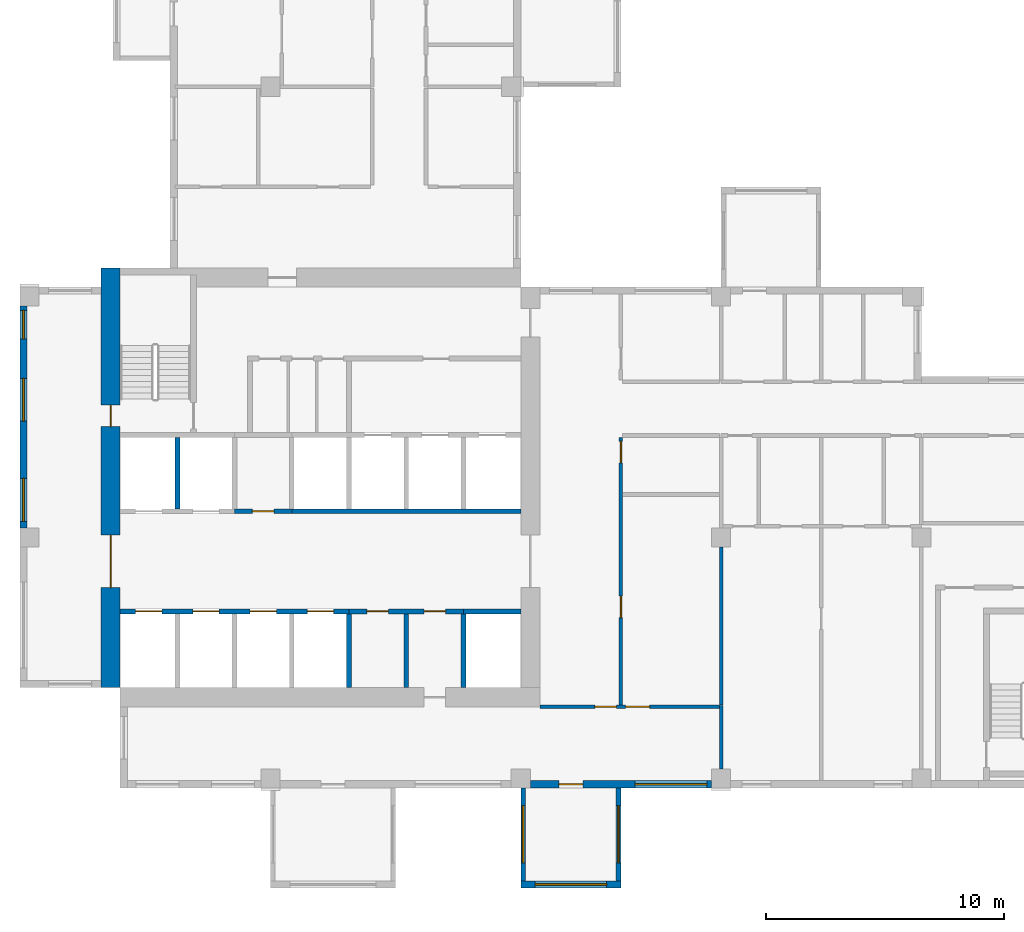
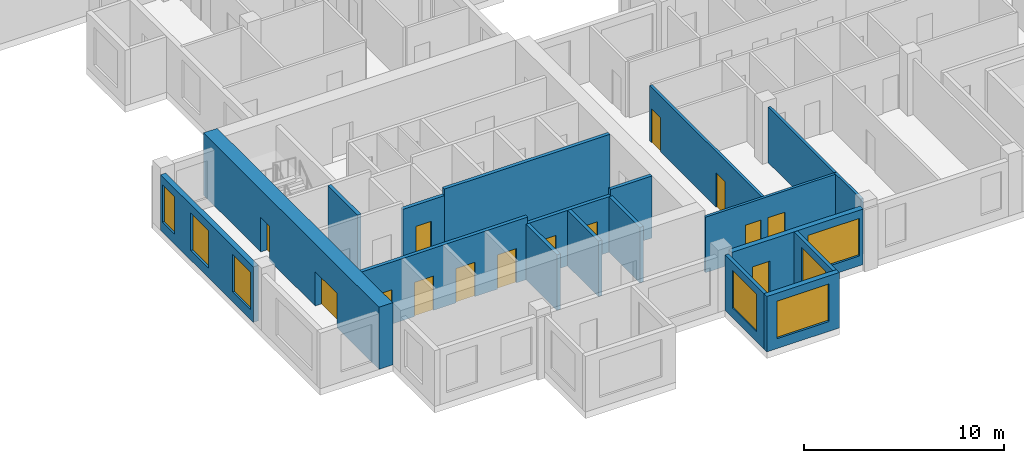
# One storey, part 2 of 12: 19 walls, 14 doors, 7 windows, 21 openings.
"""IFC4 building model written with IfcOpenShell, lengths in metres."""

from ifc_helpers import new_model, si_unit, direction, frame, frame_2d, origin, place, context, subcontext, project, spatial, rectangle, extrude, source, transform, mapped, material, layer, layer_set, type_object, element, fill, save


model = new_model("IFC4")

# Units and contexts
model_context = context("Model", 3, precision=1e-05, world=origin(), true_north=direction((0.0, 1.0)))
body_context = subcontext(model_context, "Body", "Model", "MODEL_VIEW")
ifc_project = project(units=[si_unit("LENGTHUNIT", "METRE"), si_unit("AREAUNIT", "SQUARE_METRE"), si_unit("VOLUMEUNIT", "CUBIC_METRE"), si_unit("PLANEANGLEUNIT", "RADIAN"), si_unit("MASSUNIT", "GRAM", prefix="KILO")], contexts=[model_context])

# Site, building, storey
site_placement = place(None, origin())
site = spatial("IfcSite", under=ifc_project, at=site_placement, CompositionType="ELEMENT")
building_placement = place(site_placement, origin())
building = spatial("IfcBuilding", under=site, at=building_placement, Name="Aurelian Terraces", CompositionType="ELEMENT")
storey_placement = place(building_placement, frame((0.0, 0.0, 242.4)))
storey = spatial("IfcBuildingStorey", under=building, at=storey_placement, Name="L55", CompositionType="ELEMENT", Elevation=242.4)

# Wall, openings, doors
ifc_material_1 = material(Name="Concrete fc' 70 MPa", Category="concrete")
ifc_layer_1 = layer(ifc_material_1, 0.8)
ifc_layer_set_1 = layer_set([ifc_layer_1], Name="CORE WALL 800 FC70")
wall_type_1 = type_object("IfcWallType", Name="CORE WALL 800 FC70", PredefinedType="SHEAR", material=ifc_layer_set_1)
shared_shape_1 = source(origin(), body_context, "Body", "SweptSolid", [
    extrude(rectangle(XDim=17.6, YDim=0.8, at=frame_2d((8.8, 0.0))), origin(), (0.0, 0.0, 1.0), 3.8),
])
wall_1_placement = place(storey_placement, frame((3.8, 4.2, 0.0), z_axis=(0.0, 0.0, 1.0), x_axis=(0.0, 1.0, 0.0)))
wall_1 = element("IfcWall", 1, at=wall_1_placement, inside=storey, type_object=wall_type_1, Name="Core wall W L55", PredefinedType="SHEAR", context=body_context, shape_type="MappedRepresentation", body=[
    mapped(shared_shape_1, transform((0.0, 0.0, 0.0), scale=1.0)),
])
shared_shape_2 = source(origin(), body_context, "Body", "SweptSolid", [
    extrude(rectangle(XDim=2.2, YDim=2.1, at=frame_2d((1.1, 1.05))), frame((0.0, 0.41, 0.0), z_axis=(0.0, -1.0, 0.0), x_axis=(1.0, 0.0, 0.0)), (0.0, 0.0, 1.0), 0.82),
])
opening_1_placement = place(wall_1_placement, frame((4.2, 0.0, 0.0)))
opening_1 = element("IfcOpeningElement", 2, at=opening_1_placement, cuts=wall_1, Name="Opening 65824", PredefinedType="OPENING", context=body_context, shape_type="MappedRepresentation", body=[
    mapped(shared_shape_2, transform((0.0, 0.0, 0.0), scale=1.0)),
])
shared_shape_3 = source(origin(), body_context, "Body", "SweptSolid", [
    extrude(rectangle(XDim=0.9, YDim=2.1, at=frame_2d((0.45, 1.05))), frame((0.0, 0.41, 0.0), z_axis=(0.0, -1.0, 0.0), x_axis=(1.0, 0.0, 0.0)), (0.0, 0.0, 1.0), 0.82),
])
opening_2_placement = place(wall_1_placement, frame((10.95, 0.0, 0.0)))
opening_2 = element("IfcOpeningElement", 3, at=opening_2_placement, cuts=wall_1, Name="Opening 65828", PredefinedType="OPENING", context=body_context, shape_type="MappedRepresentation", body=[
    mapped(shared_shape_3, transform((0.0, 0.0, 0.0), scale=1.0)),
])
ifc_material_2 = material(Name="Steel door leaf", Category="steel")
door_type_1 = type_object("IfcDoorType", Name="Core service door 900x2100 right", OperationType="SINGLE_SWING_RIGHT", PredefinedType="DOOR", material=ifc_material_2)
shared_shape_4 = source(origin(), body_context, "Body", "SweptSolid", [
    extrude(rectangle(XDim=0.9, YDim=2.1, at=frame_2d((0.45, 1.05))), frame((0.0, 0.025, 0.0), z_axis=(0.0, -1.0, 0.0), x_axis=(1.0, 0.0, 0.0)), (0.0, 0.0, 1.0), 0.05),
])
door_1_placement = place(opening_2_placement, origin())
door_1 = element("IfcDoor", 4, at=door_1_placement, inside=storey, type_object=door_type_1, Name="Core door 65828", OperationType="SINGLE_SWING_RIGHT", OverallHeight=2.1, OverallWidth=0.9, PredefinedType="DOOR", context=body_context, shape_type="MappedRepresentation", body=[
    mapped(shared_shape_4, transform((0.0, 0.0, 0.0), scale=1.0)),
])
fill(opening_2, door_1)
door_type_2 = type_object("IfcDoorType", Name="Core double door 2200x2100", OperationType="DOUBLE_DOOR_SINGLE_SWING", PredefinedType="DOOR", material=ifc_material_2)
shared_shape_5 = source(origin(), body_context, "Body", "SweptSolid", [
    extrude(rectangle(XDim=2.2, YDim=2.1, at=frame_2d((1.1, 1.05))), frame((0.0, 0.025, 0.0), z_axis=(0.0, -1.0, 0.0), x_axis=(1.0, 0.0, 0.0)), (0.0, 0.0, 1.0), 0.05),
])
door_2_placement = place(opening_1_placement, origin())
door_2 = element("IfcDoor", 5, at=door_2_placement, inside=storey, type_object=door_type_2, Name="Core door 65824", OperationType="DOUBLE_DOOR_SINGLE_SWING", OverallHeight=2.1, OverallWidth=2.2, PredefinedType="DOOR", context=body_context, shape_type="MappedRepresentation", body=[
    mapped(shared_shape_5, transform((0.0, 0.0, 0.0), scale=1.0)),
])
fill(opening_1, door_2)

# Wall, opening, window
ifc_material_3 = material(Name="Concrete fc' 40 MPa", Category="concrete")
ifc_layer_2 = layer(ifc_material_3, 0.2)
ifc_layer_set_2 = layer_set([ifc_layer_2], Name="BOX BEARING WALL 200")
wall_type_2 = type_object("IfcWallType", Name="BOX BEARING WALL 200", PredefinedType="SOLIDWALL", material=ifc_layer_set_2)
shared_shape_6 = source(origin(), body_context, "Body", "SweptSolid", [
    extrude(rectangle(XDim=3.9, YDim=0.2, at=frame_2d((1.95, 0.0))), origin(), (0.0, 0.0, 1.0), 3.39),
])
wall_2_placement = place(storey_placement, frame((21.1, 0.0, 0.0), z_axis=(0.0, 0.0, 1.0), x_axis=(0.0, -1.0, 0.0)))
wall_2 = element("IfcWall", 6, at=wall_2_placement, inside=storey, type_object=wall_type_2, Name="Box return L55 J80.1", PredefinedType="SOLIDWALL", context=body_context, shape_type="MappedRepresentation", body=[
    mapped(shared_shape_6, transform((0.0, 0.0, 0.0), scale=1.0)),
])
shared_shape_7 = source(origin(), body_context, "Body", "SweptSolid", [
    extrude(rectangle(XDim=2.4, YDim=2.3, at=frame_2d((1.2, 1.15))), frame((0.0, 0.11, 0.0), z_axis=(0.0, -1.0, 0.0), x_axis=(1.0, 0.0, 0.0)), (0.0, 0.0, 1.0), 0.22),
])
opening_3_placement = place(wall_2_placement, frame((0.75, 0.0, 0.6)))
opening_3 = element("IfcOpeningElement", 7, at=opening_3_placement, cuts=wall_2, Name="Opening W2423", PredefinedType="OPENING", context=body_context, shape_type="MappedRepresentation", body=[
    mapped(shared_shape_7, transform((0.0, 0.0, 0.0), scale=1.0)),
])
ifc_material_4 = material(Name="Clear glazing", Category="glass")
window_type_1 = type_object("IfcWindowType", Name="W-2400x2300", PartitioningType="SINGLE_PANEL", PredefinedType="WINDOW", material=ifc_material_4)
shared_shape_8 = source(origin(), body_context, "Body", "SweptSolid", [
    extrude(rectangle(XDim=2.4, YDim=2.3, at=frame_2d((1.2, 1.15))), frame((0.0, 0.03, 0.0), z_axis=(0.0, -1.0, 0.0), x_axis=(1.0, 0.0, 0.0)), (0.0, 0.0, 1.0), 0.06),
])
window_1_placement = place(opening_3_placement, origin())
window_1 = element("IfcWindow", 8, at=window_1_placement, inside=storey, type_object=window_type_1, Name="Window L55 J80-S1", OverallHeight=2.3, OverallWidth=2.4, PartitioningType="SINGLE_PANEL", PredefinedType="WINDOW", context=body_context, shape_type="MappedRepresentation", body=[
    mapped(shared_shape_8, transform((0.0, 0.0, 0.0), scale=1.0)),
])
fill(opening_3, window_1)

wall_3_placement = place(storey_placement, frame((25.1, 0.0, 0.0), z_axis=(0.0, 0.0, 1.0), x_axis=(0.0, -1.0, 0.0)))
wall_3 = element("IfcWall", 9, at=wall_3_placement, inside=storey, type_object=wall_type_2, Name="Box return L55 J80.2", PredefinedType="SOLIDWALL", context=body_context, shape_type="MappedRepresentation", body=[
    mapped(shared_shape_6, transform((0.0, 0.0, 0.0), scale=1.0)),
])
opening_4_placement = place(wall_3_placement, frame((0.75, 0.0, 0.6)))
opening_4 = element("IfcOpeningElement", 10, at=opening_4_placement, cuts=wall_3, Name="Opening W2423", PredefinedType="OPENING", context=body_context, shape_type="MappedRepresentation", body=[
    mapped(shared_shape_7, transform((0.0, 0.0, 0.0), scale=1.0)),
])
window_2_placement = place(opening_4_placement, origin())
window_2 = element("IfcWindow", 11, at=window_2_placement, inside=storey, type_object=window_type_1, Name="Window L55 J80-S2", OverallHeight=2.3, OverallWidth=2.4, PartitioningType="SINGLE_PANEL", PredefinedType="WINDOW", context=body_context, shape_type="MappedRepresentation", body=[
    mapped(shared_shape_8, transform((0.0, 0.0, 0.0), scale=1.0)),
])
fill(opening_4, window_2)

ifc_layer_3 = layer(ifc_material_3, 0.3)
ifc_layer_set_3 = layer_set([ifc_layer_3], Name="BOX BEARING WALL 300")
wall_type_3 = type_object("IfcWallType", Name="BOX BEARING WALL 300", PredefinedType="SOLIDWALL", material=ifc_layer_set_3)
shared_shape_9 = source(origin(), body_context, "Body", "SweptSolid", [
    extrude(rectangle(XDim=4.2, YDim=0.3, at=frame_2d((2.1, 0.0))), origin(), (0.0, 0.0, 1.0), 3.39),
])
wall_4_placement = place(storey_placement, frame((21.0, -4.05, 0.0), z_axis=(0.0, 0.0, 1.0), x_axis=(1.0, 0.0, 0.0)))
wall_4 = element("IfcWall", 12, at=wall_4_placement, inside=storey, type_object=wall_type_3, Name="Box wall L55 J80", PredefinedType="SOLIDWALL", context=body_context, shape_type="MappedRepresentation", body=[
    mapped(shared_shape_9, transform((0.0, 0.0, 0.0), scale=1.0)),
])
shared_shape_10 = source(origin(), body_context, "Body", "SweptSolid", [
    extrude(rectangle(XDim=3.0, YDim=2.3, at=frame_2d((1.5, 1.15))), frame((0.0, 0.16, 0.0), z_axis=(0.0, -1.0, 0.0), x_axis=(1.0, 0.0, 0.0)), (0.0, 0.0, 1.0), 0.32),
])
opening_5_placement = place(wall_4_placement, frame((0.6, 0.0, 0.6)))
opening_5 = element("IfcOpeningElement", 13, at=opening_5_placement, cuts=wall_4, Name="Opening W3023", PredefinedType="OPENING", context=body_context, shape_type="MappedRepresentation", body=[
    mapped(shared_shape_10, transform((0.0, 0.0, 0.0), scale=1.0)),
])
window_type_2 = type_object("IfcWindowType", Name="W-3000x2300", PartitioningType="SINGLE_PANEL", PredefinedType="WINDOW", material=ifc_material_4)
shared_shape_11 = source(origin(), body_context, "Body", "SweptSolid", [
    extrude(rectangle(XDim=3.0, YDim=2.3, at=frame_2d((1.5, 1.15))), frame((0.0, 0.03, 0.0), z_axis=(0.0, -1.0, 0.0), x_axis=(1.0, 0.0, 0.0)), (0.0, 0.0, 1.0), 0.06),
])
window_3_placement = place(opening_5_placement, origin())
window_3 = element("IfcWindow", 14, at=window_3_placement, inside=storey, type_object=window_type_2, Name="Window L55 J80-F1", OverallHeight=2.3, OverallWidth=3.0, PartitioningType="SINGLE_PANEL", PredefinedType="WINDOW", context=body_context, shape_type="MappedRepresentation", body=[
    mapped(shared_shape_11, transform((0.0, 0.0, 0.0), scale=1.0)),
])
fill(opening_5, window_3)

# Wall, openings, window, door
ifc_material_5 = material(Name="Terracotta rainscreen cladding", Category="masonry")
ifc_layer_4 = layer(ifc_material_5, 0.3)
ifc_layer_set_4 = layer_set([ifc_layer_4], Name="EW-300")
wall_type_4 = type_object("IfcWallType", Name="EW-300", PredefinedType="STANDARD", material=ifc_layer_set_4)
shared_shape_12 = source(origin(), body_context, "Body", "SweptSolid", [
    extrude(rectangle(XDim=7.6, YDim=0.3, at=frame_2d((3.8, 0.0))), origin(), (0.0, 0.0, 1.0), 3.4),
])
wall_5_placement = place(storey_placement, frame((21.4, 0.15, 0.0), z_axis=(0.0, 0.0, 1.0), x_axis=(1.0, 0.0, 0.0)))
wall_5 = element("IfcWall", 15, at=wall_5_placement, inside=storey, type_object=wall_type_4, Name="External wall L55 F01.3", PredefinedType="STANDARD", context=body_context, shape_type="MappedRepresentation", body=[
    mapped(shared_shape_12, transform((0.0, 0.0, 0.0), scale=1.0)),
])
opening_6_placement = place(wall_5_placement, frame((4.4, 0.0, 0.6)))
opening_6 = element("IfcOpeningElement", 16, at=opening_6_placement, cuts=wall_5, Name="Opening W3023", PredefinedType="OPENING", context=body_context, shape_type="MappedRepresentation", body=[
    mapped(shared_shape_10, transform((0.0, 0.0, 0.0), scale=1.0)),
])
shared_shape_13 = source(origin(), body_context, "Body", "SweptSolid", [
    extrude(rectangle(XDim=1.0, YDim=2.1, at=frame_2d((0.5, 1.05))), frame((0.0, 0.16, 0.0), z_axis=(0.0, -1.0, 0.0), x_axis=(1.0, 0.0, 0.0)), (0.0, 0.0, 1.0), 0.32),
])
opening_7_placement = place(wall_5_placement, frame((1.2, 0.0, 0.0)))
opening_7 = element("IfcOpeningElement", 17, at=opening_7_placement, cuts=wall_5, Name="Opening 855003", PredefinedType="OPENING", context=body_context, shape_type="MappedRepresentation", body=[
    mapped(shared_shape_13, transform((0.0, 0.0, 0.0), scale=1.0)),
])
window_4_placement = place(opening_6_placement, origin())
window_4 = element("IfcWindow", 18, at=window_4_placement, inside=storey, type_object=window_type_2, Name="Window L55 L55-F01-03-1", OverallHeight=2.3, OverallWidth=3.0, PartitioningType="SINGLE_PANEL", PredefinedType="WINDOW", context=body_context, shape_type="MappedRepresentation", body=[
    mapped(shared_shape_11, transform((0.0, 0.0, 0.0), scale=1.0)),
])
fill(opening_6, window_4)
ifc_material_6 = material(Name="Timber door leaf", Category="wood")
door_type_3 = type_object("IfcDoorType", Name="Room door 1000x2100 left", OperationType="SINGLE_SWING_LEFT", PredefinedType="DOOR", material=ifc_material_6)
shared_shape_14 = source(origin(), body_context, "Body", "SweptSolid", [
    extrude(rectangle(XDim=1.0, YDim=2.1, at=frame_2d((0.5, 1.05))), frame((0.0, 0.025, 0.0), z_axis=(0.0, -1.0, 0.0), x_axis=(1.0, 0.0, 0.0)), (0.0, 0.0, 1.0), 0.05),
])
door_3_placement = place(opening_7_placement, origin())
door_3 = element("IfcDoor", 19, at=door_3_placement, inside=storey, type_object=door_type_3, Name="Door 855003", OperationType="SINGLE_SWING_LEFT", OverallHeight=2.1, OverallWidth=1.0, PredefinedType="DOOR", context=body_context, shape_type="MappedRepresentation", body=[
    mapped(shared_shape_14, transform((0.0, 0.0, 0.0), scale=1.0)),
])
fill(opening_7, door_3)

# Wall, openings, windows
shared_shape_15 = source(origin(), body_context, "Body", "SweptSolid", [
    extrude(rectangle(XDim=9.3, YDim=0.3, at=frame_2d((4.65, 0.0))), origin(), (0.0, 0.0, 1.0), 3.4),
])
wall_6_placement = place(storey_placement, frame((0.15, 20.2, 0.0), z_axis=(0.0, 0.0, 1.0), x_axis=(0.0, -1.0, 0.0)))
wall_6 = element("IfcWall", 20, at=wall_6_placement, inside=storey, type_object=wall_type_4, Name="External wall L55 F20.32", PredefinedType="STANDARD", context=body_context, shape_type="MappedRepresentation", body=[
    mapped(shared_shape_15, transform((0.0, 0.0, 0.0), scale=1.0)),
])
shared_shape_16 = source(origin(), body_context, "Body", "SweptSolid", [
    extrude(rectangle(XDim=1.2, YDim=2.3, at=frame_2d((0.6, 1.15))), frame((0.0, 0.16, 0.0), z_axis=(0.0, -1.0, 0.0), x_axis=(1.0, 0.0, 0.0)), (0.0, 0.0, 1.0), 0.32),
])
opening_8_placement = place(wall_6_placement, frame((0.175, 0.0, 0.6)))
opening_8 = element("IfcOpeningElement", 21, at=opening_8_placement, cuts=wall_6, Name="Opening W1223", PredefinedType="OPENING", context=body_context, shape_type="MappedRepresentation", body=[
    mapped(shared_shape_16, transform((0.0, 0.0, 0.0), scale=1.0)),
])
shared_shape_17 = source(origin(), body_context, "Body", "SweptSolid", [
    extrude(rectangle(XDim=1.8, YDim=2.3, at=frame_2d((0.9, 1.15))), frame((0.0, 0.16, 0.0), z_axis=(0.0, -1.0, 0.0), x_axis=(1.0, 0.0, 0.0)), (0.0, 0.0, 1.0), 0.32),
])
opening_9_placement = place(wall_6_placement, frame((3.025, 0.0, 0.6)))
opening_9 = element("IfcOpeningElement", 22, at=opening_9_placement, cuts=wall_6, Name="Opening W1823", PredefinedType="OPENING", context=body_context, shape_type="MappedRepresentation", body=[
    mapped(shared_shape_17, transform((0.0, 0.0, 0.0), scale=1.0)),
])
opening_10_placement = place(wall_6_placement, frame((7.225, 0.0, 0.6)))
opening_10 = element("IfcOpeningElement", 23, at=opening_10_placement, cuts=wall_6, Name="Opening W1823", PredefinedType="OPENING", context=body_context, shape_type="MappedRepresentation", body=[
    mapped(shared_shape_17, transform((0.0, 0.0, 0.0), scale=1.0)),
])
window_type_3 = type_object("IfcWindowType", Name="W-1200x2300", PartitioningType="SINGLE_PANEL", PredefinedType="WINDOW", material=ifc_material_4)
shared_shape_18 = source(origin(), body_context, "Body", "SweptSolid", [
    extrude(rectangle(XDim=1.2, YDim=2.3, at=frame_2d((0.6, 1.15))), frame((0.0, 0.03, 0.0), z_axis=(0.0, -1.0, 0.0), x_axis=(1.0, 0.0, 0.0)), (0.0, 0.0, 1.0), 0.06),
])
window_5_placement = place(opening_8_placement, origin())
window_5 = element("IfcWindow", 24, at=window_5_placement, inside=storey, type_object=window_type_3, Name="Window L55 L55-F20-32-0", OverallHeight=2.3, OverallWidth=1.2, PartitioningType="SINGLE_PANEL", PredefinedType="WINDOW", context=body_context, shape_type="MappedRepresentation", body=[
    mapped(shared_shape_18, transform((0.0, 0.0, 0.0), scale=1.0)),
])
fill(opening_8, window_5)
window_type_4 = type_object("IfcWindowType", Name="W-1800x2300", PartitioningType="SINGLE_PANEL", PredefinedType="WINDOW", material=ifc_material_4)
shared_shape_19 = source(origin(), body_context, "Body", "SweptSolid", [
    extrude(rectangle(XDim=1.8, YDim=2.3, at=frame_2d((0.9, 1.15))), frame((0.0, 0.03, 0.0), z_axis=(0.0, -1.0, 0.0), x_axis=(1.0, 0.0, 0.0)), (0.0, 0.0, 1.0), 0.06),
])
window_6_placement = place(opening_9_placement, origin())
window_6 = element("IfcWindow", 25, at=window_6_placement, inside=storey, type_object=window_type_4, Name="Window L55 L55-F20-32-1", OverallHeight=2.3, OverallWidth=1.8, PartitioningType="SINGLE_PANEL", PredefinedType="WINDOW", context=body_context, shape_type="MappedRepresentation", body=[
    mapped(shared_shape_19, transform((0.0, 0.0, 0.0), scale=1.0)),
])
fill(opening_9, window_6)
window_7_placement = place(opening_10_placement, origin())
window_7 = element("IfcWindow", 26, at=window_7_placement, inside=storey, type_object=window_type_4, Name="Window L55 L55-F20-32-2", OverallHeight=2.3, OverallWidth=1.8, PartitioningType="SINGLE_PANEL", PredefinedType="WINDOW", context=body_context, shape_type="MappedRepresentation", body=[
    mapped(shared_shape_19, transform((0.0, 0.0, 0.0), scale=1.0)),
])
fill(opening_10, window_7)

# Walls
ifc_layer_5 = layer(ifc_material_3, 0.2)
ifc_layer_set_5 = layer_set([ifc_layer_5], Name="Lift shaft wall 200")
wall_type_5 = type_object("IfcWallType", Name="Lift shaft wall 200", PredefinedType="SOLIDWALL", material=ifc_layer_set_5)
shared_shape_20 = source(origin(), body_context, "Body", "SweptSolid", [
    extrude(rectangle(XDim=3.1, YDim=0.2, at=frame_2d((1.55, 0.0))), origin(), (0.0, 0.0, 1.0), 3.4),
])
for number, where, z_axis, x_axis, name in (
    (27, (13.8, 4.2, 0.0), (0.0, 0.0, 1.0), (0.0, 1.0, 0.0), "L55 core wall CD-A4"),
    (28, (18.6, 4.2, 0.0), (0.0, 0.0, 1.0), (0.0, 1.0, 0.0), "L55 core wall CD-A6"),
):
    element("IfcWall", number, at=place(storey_placement, frame(where, z_axis=z_axis, x_axis=x_axis)), inside=storey, type_object=wall_type_5, Name=name, PredefinedType="SOLIDWALL", context=body_context, shape_type="MappedRepresentation", body=[
        mapped(shared_shape_20, transform((0.0, 0.0, 0.0), scale=1.0)),
    ])
shared_shape_21 = source(origin(), body_context, "Body", "SweptSolid", [
    extrude(rectangle(XDim=3.0, YDim=0.2, at=frame_2d((1.5, 0.0))), origin(), (0.0, 0.0, 1.0), 3.8),
])
wall_7_placement = place(storey_placement, frame((6.6, 11.7, 0.0), z_axis=(0.0, 0.0, 1.0), x_axis=(0.0, 1.0, 0.0)))
element("IfcWall", 29, at=wall_7_placement, inside=storey, type_object=wall_type_5, Name="L55 core wall CD-B1", PredefinedType="SOLIDWALL", context=body_context, shape_type="MappedRepresentation", body=[
    mapped(shared_shape_21, transform((0.0, 0.0, 0.0), scale=1.0)),
])

# Wall, openings, doors
shared_shape_22 = source(origin(), body_context, "Body", "SweptSolid", [
    extrude(rectangle(XDim=9.6, YDim=0.2, at=frame_2d((4.8, 0.0))), origin(), (0.0, 0.0, 1.0), 3.8),
])
wall_8_placement = place(storey_placement, frame((4.2, 7.4, 0.0), z_axis=(0.0, 0.0, 1.0), x_axis=(1.0, 0.0, 0.0)))
wall_8 = element("IfcWall", 30, at=wall_8_placement, inside=storey, type_object=wall_type_5, Name="L55 core wall CF-AF1", PredefinedType="SOLIDWALL", context=body_context, shape_type="MappedRepresentation", body=[
    mapped(shared_shape_22, transform((0.0, 0.0, 0.0), scale=1.0)),
])
shared_shape_23 = source(origin(), body_context, "Body", "SweptSolid", [
    extrude(rectangle(XDim=1.1, YDim=2.1, at=frame_2d((0.55, 1.05))), frame((0.0, 0.11, 0.0), z_axis=(0.0, -1.0, 0.0), x_axis=(1.0, 0.0, 0.0)), (0.0, 0.0, 1.0), 0.22),
])
opening_11_placement = place(wall_8_placement, frame((0.65, 0.0, 0.0)))
opening_11 = element("IfcOpeningElement", 31, at=opening_11_placement, cuts=wall_8, Name="Opening 65800", PredefinedType="OPENING", context=body_context, shape_type="MappedRepresentation", body=[
    mapped(shared_shape_23, transform((0.0, 0.0, 0.0), scale=1.0)),
])
opening_12_placement = place(wall_8_placement, frame((3.05, 0.0, 0.0)))
opening_12 = element("IfcOpeningElement", 32, at=opening_12_placement, cuts=wall_8, Name="Opening 65801", PredefinedType="OPENING", context=body_context, shape_type="MappedRepresentation", body=[
    mapped(shared_shape_23, transform((0.0, 0.0, 0.0), scale=1.0)),
])
opening_13_placement = place(wall_8_placement, frame((5.45, 0.0, 0.0)))
opening_13 = element("IfcOpeningElement", 33, at=opening_13_placement, cuts=wall_8, Name="Opening 65802", PredefinedType="OPENING", context=body_context, shape_type="MappedRepresentation", body=[
    mapped(shared_shape_23, transform((0.0, 0.0, 0.0), scale=1.0)),
])
opening_14_placement = place(wall_8_placement, frame((7.85, 0.0, 0.0)))
opening_14 = element("IfcOpeningElement", 34, at=opening_14_placement, cuts=wall_8, Name="Opening 65803", PredefinedType="OPENING", context=body_context, shape_type="MappedRepresentation", body=[
    mapped(shared_shape_23, transform((0.0, 0.0, 0.0), scale=1.0)),
])
ifc_material_7 = material(Name="Stainless steel", Category="steel")
door_type_4 = type_object("IfcDoorType", Name="Lift landing door 1100x2100", OperationType="SLIDING_TO_LEFT", PredefinedType="DOOR", material=ifc_material_7)
shared_shape_24 = source(origin(), body_context, "Body", "SweptSolid", [
    extrude(rectangle(XDim=1.1, YDim=2.1, at=frame_2d((0.55, 1.05))), frame((0.0, 0.025, 0.0), z_axis=(0.0, -1.0, 0.0), x_axis=(1.0, 0.0, 0.0)), (0.0, 0.0, 1.0), 0.05),
])
door_4_placement = place(opening_11_placement, origin())
door_4 = element("IfcDoor", 35, at=door_4_placement, inside=storey, type_object=door_type_4, Name="Lift landing door LM1 L55", OperationType="SLIDING_TO_LEFT", OverallHeight=2.1, OverallWidth=1.1, PredefinedType="DOOR", context=body_context, shape_type="MappedRepresentation", body=[
    mapped(shared_shape_24, transform((0.0, 0.0, 0.0), scale=1.0)),
])
fill(opening_11, door_4)
door_5_placement = place(opening_12_placement, origin())
door_5 = element("IfcDoor", 36, at=door_5_placement, inside=storey, type_object=door_type_4, Name="Lift landing door LM2 L55", OperationType="SLIDING_TO_LEFT", OverallHeight=2.1, OverallWidth=1.1, PredefinedType="DOOR", context=body_context, shape_type="MappedRepresentation", body=[
    mapped(shared_shape_24, transform((0.0, 0.0, 0.0), scale=1.0)),
])
fill(opening_12, door_5)
door_6_placement = place(opening_13_placement, origin())
door_6 = element("IfcDoor", 37, at=door_6_placement, inside=storey, type_object=door_type_4, Name="Lift landing door LM3 L55", OperationType="SLIDING_TO_LEFT", OverallHeight=2.1, OverallWidth=1.1, PredefinedType="DOOR", context=body_context, shape_type="MappedRepresentation", body=[
    mapped(shared_shape_24, transform((0.0, 0.0, 0.0), scale=1.0)),
])
fill(opening_13, door_6)
door_7_placement = place(opening_14_placement, origin())
door_7 = element("IfcDoor", 38, at=door_7_placement, inside=storey, type_object=door_type_4, Name="Lift landing door LM4 L55", OperationType="SLIDING_TO_LEFT", OverallHeight=2.1, OverallWidth=1.1, PredefinedType="DOOR", context=body_context, shape_type="MappedRepresentation", body=[
    mapped(shared_shape_24, transform((0.0, 0.0, 0.0), scale=1.0)),
])
fill(opening_14, door_7)

# Wall
wall_9_placement = place(storey_placement, frame((11.4, 11.6, 0.0), z_axis=(0.0, 0.0, 1.0), x_axis=(1.0, 0.0, 0.0)))
element("IfcWall", 39, at=wall_9_placement, inside=storey, type_object=wall_type_5, Name="L55 core wall CF-BF3", PredefinedType="SOLIDWALL", context=body_context, shape_type="MappedRepresentation", body=[
    mapped(shared_shape_22, transform((0.0, 0.0, 0.0), scale=1.0)),
])

# Wall, opening, door
shared_shape_25 = source(origin(), body_context, "Body", "SweptSolid", [
    extrude(rectangle(XDim=2.4, YDim=0.2, at=frame_2d((1.2, 0.0))), origin(), (0.0, 0.0, 1.0), 3.4),
])
wall_10_placement = place(storey_placement, frame((9.0, 11.6, 0.0), z_axis=(0.0, 0.0, 1.0), x_axis=(1.0, 0.0, 0.0)))
wall_10 = element("IfcWall", 40, at=wall_10_placement, inside=storey, type_object=wall_type_5, Name="L55 core wall CF-BF2", PredefinedType="SOLIDWALL", context=body_context, shape_type="MappedRepresentation", body=[
    mapped(shared_shape_25, transform((0.0, 0.0, 0.0), scale=1.0)),
])
shared_shape_26 = source(origin(), body_context, "Body", "SweptSolid", [
    extrude(rectangle(XDim=0.9, YDim=2.1, at=frame_2d((0.45, 1.05))), frame((0.0, 0.11, 0.0), z_axis=(0.0, -1.0, 0.0), x_axis=(1.0, 0.0, 0.0)), (0.0, 0.0, 1.0), 0.22),
])
opening_15_placement = place(wall_10_placement, frame((0.75, 0.0, 0.0)))
opening_15 = element("IfcOpeningElement", 41, at=opening_15_placement, cuts=wall_10, Name="Opening 65808", PredefinedType="OPENING", context=body_context, shape_type="MappedRepresentation", body=[
    mapped(shared_shape_26, transform((0.0, 0.0, 0.0), scale=1.0)),
])
door_type_5 = type_object("IfcDoorType", Name="Core service door 900x2100", OperationType="SINGLE_SWING_LEFT", PredefinedType="DOOR", material=ifc_material_2)
door_8_placement = place(opening_15_placement, origin())
door_8 = element("IfcDoor", 42, at=door_8_placement, inside=storey, type_object=door_type_5, Name="Room door 65808", OperationType="SINGLE_SWING_LEFT", OverallHeight=2.1, OverallWidth=0.9, PredefinedType="DOOR", context=body_context, shape_type="MappedRepresentation", body=[
    mapped(shared_shape_4, transform((0.0, 0.0, 0.0), scale=1.0)),
])
fill(opening_15, door_8)

# Wall, openings, doors
shared_shape_27 = source(origin(), body_context, "Body", "SweptSolid", [
    extrude(rectangle(XDim=4.8, YDim=0.2, at=frame_2d((2.4, 0.0))), origin(), (0.0, 0.0, 1.0), 3.4),
])
wall_11_placement = place(storey_placement, frame((13.8, 7.4, 0.0), z_axis=(0.0, 0.0, 1.0), x_axis=(1.0, 0.0, 0.0)))
wall_11 = element("IfcWall", 43, at=wall_11_placement, inside=storey, type_object=wall_type_5, Name="L55 core wall CF-AF2", PredefinedType="SOLIDWALL", context=body_context, shape_type="MappedRepresentation", body=[
    mapped(shared_shape_27, transform((0.0, 0.0, 0.0), scale=1.0)),
])
opening_16_placement = place(wall_11_placement, frame((0.75, 0.0, 0.0)))
opening_16 = element("IfcOpeningElement", 44, at=opening_16_placement, cuts=wall_11, Name="Opening 65804", PredefinedType="OPENING", context=body_context, shape_type="MappedRepresentation", body=[
    mapped(shared_shape_26, transform((0.0, 0.0, 0.0), scale=1.0)),
])
opening_17_placement = place(wall_11_placement, frame((3.15, 0.0, 0.0)))
opening_17 = element("IfcOpeningElement", 45, at=opening_17_placement, cuts=wall_11, Name="Opening 65805", PredefinedType="OPENING", context=body_context, shape_type="MappedRepresentation", body=[
    mapped(shared_shape_26, transform((0.0, 0.0, 0.0), scale=1.0)),
])
door_9_placement = place(opening_16_placement, origin())
door_9 = element("IfcDoor", 46, at=door_9_placement, inside=storey, type_object=door_type_5, Name="Room door 65804", OperationType="SINGLE_SWING_LEFT", OverallHeight=2.1, OverallWidth=0.9, PredefinedType="DOOR", context=body_context, shape_type="MappedRepresentation", body=[
    mapped(shared_shape_4, transform((0.0, 0.0, 0.0), scale=1.0)),
])
fill(opening_16, door_9)
door_10_placement = place(opening_17_placement, origin())
door_10 = element("IfcDoor", 47, at=door_10_placement, inside=storey, type_object=door_type_1, Name="Room door 65805", OperationType="SINGLE_SWING_RIGHT", OverallHeight=2.1, OverallWidth=0.9, PredefinedType="DOOR", context=body_context, shape_type="MappedRepresentation", body=[
    mapped(shared_shape_4, transform((0.0, 0.0, 0.0), scale=1.0)),
])
fill(opening_17, door_10)

# Walls
shared_shape_28 = source(origin(), body_context, "Body", "SweptSolid", [
    extrude(rectangle(XDim=2.4, YDim=0.2, at=frame_2d((1.2, 0.0))), origin(), (0.0, 0.0, 1.0), 3.8),
])
wall_12_placement = place(storey_placement, frame((18.6, 7.4, 0.0), z_axis=(0.0, 0.0, 1.0), x_axis=(1.0, 0.0, 0.0)))
element("IfcWall", 48, at=wall_12_placement, inside=storey, type_object=wall_type_5, Name="L55 core wall CF-AF3", PredefinedType="SOLIDWALL", context=body_context, shape_type="MappedRepresentation", body=[
    mapped(shared_shape_28, transform((0.0, 0.0, 0.0), scale=1.0)),
])
ifc_material_8 = material(Name="Gypsum board on steel studs", Category="steel")
ifc_layer_6 = layer(ifc_material_8, 0.2)
ifc_layer_set_6 = layer_set([ifc_layer_6], Name="Core partition 200")
wall_type_6 = type_object("IfcWallType", Name="Core partition 200", PredefinedType="PARTITIONING", material=ifc_layer_set_6)
shared_shape_29 = source(origin(), body_context, "Body", "SweptSolid", [
    extrude(rectangle(XDim=3.1, YDim=0.2, at=frame_2d((1.55, 0.0))), origin(), (0.0, 0.0, 1.0), 3.4),
])
wall_13_placement = place(storey_placement, frame((16.2, 4.2, 0.0), z_axis=(0.0, 0.0, 1.0), x_axis=(0.0, 1.0, 0.0)))
element("IfcWall", 49, at=wall_13_placement, inside=storey, type_object=wall_type_6, Name="L55 core wall CS-A5", PredefinedType="PARTITIONING", context=body_context, shape_type="MappedRepresentation", body=[
    mapped(shared_shape_29, transform((0.0, 0.0, 0.0), scale=1.0)),
])

# Wall, openings, doors
ifc_layer_7 = layer(ifc_material_8, 0.15)
ifc_layer_set_7 = layer_set([ifc_layer_7], Name="Partition 150")
wall_type_7 = type_object("IfcWallType", Name="Partition 150", PredefinedType="PARTITIONING", material=ifc_layer_set_7)
shared_shape_30 = source(origin(), body_context, "Body", "SweptSolid", [
    extrude(rectangle(XDim=7.525, YDim=0.15, at=frame_2d((3.7625, 0.0))), origin(), (0.0, 0.0, 1.0), 3.4),
])
wall_14_placement = place(storey_placement, frame((21.8, 3.4, 0.0), z_axis=(0.0, 0.0, 1.0), x_axis=(1.0, 0.0, 0.0)))
wall_14 = element("IfcWall", 50, at=wall_14_placement, inside=storey, type_object=wall_type_7, Name="Partition", PredefinedType="PARTITIONING", context=body_context, shape_type="MappedRepresentation", body=[
    mapped(shared_shape_30, transform((0.0, 0.0, 0.0), scale=1.0)),
])
shared_shape_31 = source(origin(), body_context, "Body", "SweptSolid", [
    extrude(rectangle(XDim=1.0, YDim=2.1, at=frame_2d((0.5, 1.05))), frame((0.0, 0.085, 0.0), z_axis=(0.0, -1.0, 0.0), x_axis=(1.0, 0.0, 0.0)), (0.0, 0.0, 1.0), 0.17),
])
opening_18_placement = place(wall_14_placement, frame((3.6, 0.0, 0.0)))
opening_18 = element("IfcOpeningElement", 51, at=opening_18_placement, cuts=wall_14, Name="Opening 755004", PredefinedType="OPENING", context=body_context, shape_type="MappedRepresentation", body=[
    mapped(shared_shape_31, transform((0.0, 0.0, 0.0), scale=1.0)),
])
shared_shape_32 = source(origin(), body_context, "Body", "SweptSolid", [
    extrude(rectangle(XDim=0.9, YDim=2.1, at=frame_2d((0.45, 1.05))), frame((0.0, 0.085, 0.0), z_axis=(0.0, -1.0, 0.0), x_axis=(1.0, 0.0, 0.0)), (0.0, 0.0, 1.0), 0.17),
])
opening_19_placement = place(wall_14_placement, frame((2.312, 0.0, 0.0)))
opening_19 = element("IfcOpeningElement", 52, at=opening_19_placement, cuts=wall_14, Name="Opening 755041", PredefinedType="OPENING", context=body_context, shape_type="MappedRepresentation", body=[
    mapped(shared_shape_32, transform((0.0, 0.0, 0.0), scale=1.0)),
])
door_11_placement = place(opening_18_placement, origin())
door_11 = element("IfcDoor", 53, at=door_11_placement, inside=storey, type_object=door_type_3, Name="Door 755004", OperationType="SINGLE_SWING_LEFT", OverallHeight=2.1, OverallWidth=1.0, PredefinedType="DOOR", context=body_context, shape_type="MappedRepresentation", body=[
    mapped(shared_shape_14, transform((0.0, 0.0, 0.0), scale=1.0)),
])
fill(opening_18, door_11)
door_type_6 = type_object("IfcDoorType", Name="Room door 900x2100 left", OperationType="SINGLE_SWING_LEFT", PredefinedType="DOOR", material=ifc_material_6)
door_12_placement = place(opening_19_placement, origin())
door_12 = element("IfcDoor", 54, at=door_12_placement, inside=storey, type_object=door_type_6, Name="Door 755041", OperationType="SINGLE_SWING_LEFT", OverallHeight=2.1, OverallWidth=0.9, PredefinedType="DOOR", context=body_context, shape_type="MappedRepresentation", body=[
    mapped(shared_shape_4, transform((0.0, 0.0, 0.0), scale=1.0)),
])
fill(opening_19, door_12)

shared_shape_33 = source(origin(), body_context, "Body", "SweptSolid", [
    extrude(rectangle(XDim=11.225, YDim=0.15, at=frame_2d((5.6125, 0.0))), origin(), (0.0, 0.0, 1.0), 3.4),
])
wall_15_placement = place(storey_placement, frame((25.2, 14.7, 0.0), z_axis=(0.0, 0.0, 1.0), x_axis=(0.0, -1.0, 0.0)))
wall_15 = element("IfcWall", 55, at=wall_15_placement, inside=storey, type_object=wall_type_7, Name="Partition", PredefinedType="PARTITIONING", context=body_context, shape_type="MappedRepresentation", body=[
    mapped(shared_shape_33, transform((0.0, 0.0, 0.0), scale=1.0)),
])
opening_20_placement = place(wall_15_placement, frame((6.6625, 0.0, 0.0)))
opening_20 = element("IfcOpeningElement", 56, at=opening_20_placement, cuts=wall_15, Name="Opening 755001", PredefinedType="OPENING", context=body_context, shape_type="MappedRepresentation", body=[
    mapped(shared_shape_32, transform((0.0, 0.0, 0.0), scale=1.0)),
])
opening_21_placement = place(wall_15_placement, frame((0.175, 0.0, 0.0)))
opening_21 = element("IfcOpeningElement", 57, at=opening_21_placement, cuts=wall_15, Name="Opening 755002", PredefinedType="OPENING", context=body_context, shape_type="MappedRepresentation", body=[
    mapped(shared_shape_32, transform((0.0, 0.0, 0.0), scale=1.0)),
])
door_type_7 = type_object("IfcDoorType", Name="Room door 900x2100 right", OperationType="SINGLE_SWING_RIGHT", PredefinedType="DOOR", material=ifc_material_6)
door_13_placement = place(opening_20_placement, origin())
door_13 = element("IfcDoor", 58, at=door_13_placement, inside=storey, type_object=door_type_7, Name="Door 755001", OperationType="SINGLE_SWING_RIGHT", OverallHeight=2.1, OverallWidth=0.9, PredefinedType="DOOR", context=body_context, shape_type="MappedRepresentation", body=[
    mapped(shared_shape_4, transform((0.0, 0.0, 0.0), scale=1.0)),
])
fill(opening_20, door_13)
door_14_placement = place(opening_21_placement, origin())
door_14 = element("IfcDoor", 59, at=door_14_placement, inside=storey, type_object=door_type_6, Name="Door 755002", OperationType="SINGLE_SWING_LEFT", OverallHeight=2.1, OverallWidth=0.9, PredefinedType="DOOR", context=body_context, shape_type="MappedRepresentation", body=[
    mapped(shared_shape_4, transform((0.0, 0.0, 0.0), scale=1.0)),
])
fill(opening_21, door_14)

# Walls
shared_shape_34 = source(origin(), body_context, "Body", "SweptSolid", [
    extrude(rectangle(XDim=6.626, YDim=0.15, at=frame_2d((3.313, 0.0))), origin(), (0.0, 0.0, 1.0), 3.4),
])
wall_16_placement = place(storey_placement, frame((29.4, 3.475, 0.0), z_axis=(0.0, 0.0, 1.0), x_axis=(0.0, 1.0, 0.0)))
element("IfcWall", 60, at=wall_16_placement, inside=storey, type_object=wall_type_7, Name="Partition", PredefinedType="PARTITIONING", context=body_context, shape_type="MappedRepresentation", body=[
    mapped(shared_shape_34, transform((0.0, 0.0, 0.0), scale=1.0)),
])
ifc_layer_8 = layer(ifc_material_8, 0.15)
ifc_layer_set_8 = layer_set([ifc_layer_8], Name="Fire partition 150")
wall_type_8 = type_object("IfcWallType", Name="Fire partition 150", PredefinedType="PARTITIONING", material=ifc_layer_set_8)
shared_shape_35 = source(origin(), body_context, "Body", "SweptSolid", [
    extrude(rectangle(XDim=2.656, YDim=0.15, at=frame_2d((1.328, 0.0))), origin(), (0.0, 0.0, 1.0), 3.4),
])
wall_17_placement = place(storey_placement, frame((29.4, 0.799, 0.0), z_axis=(0.0, 0.0, 1.0), x_axis=(0.0, 1.0, 0.0)))
element("IfcWall", 61, at=wall_17_placement, inside=storey, type_object=wall_type_8, Name="Party wall", PredefinedType="PARTITIONING", context=body_context, shape_type="MappedRepresentation", body=[
    mapped(shared_shape_35, transform((0.0, 0.0, 0.0), scale=1.0)),
])

save(model, "model.ifc")
